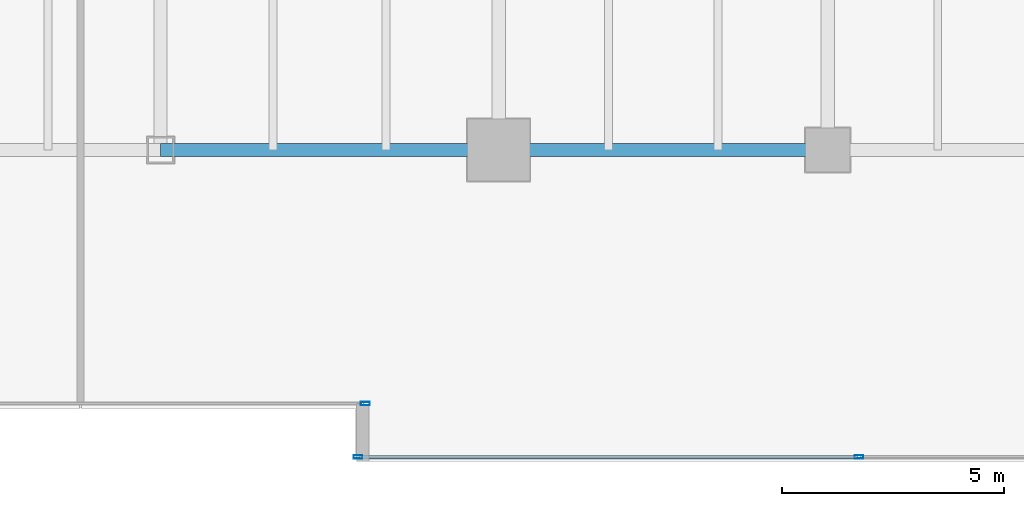
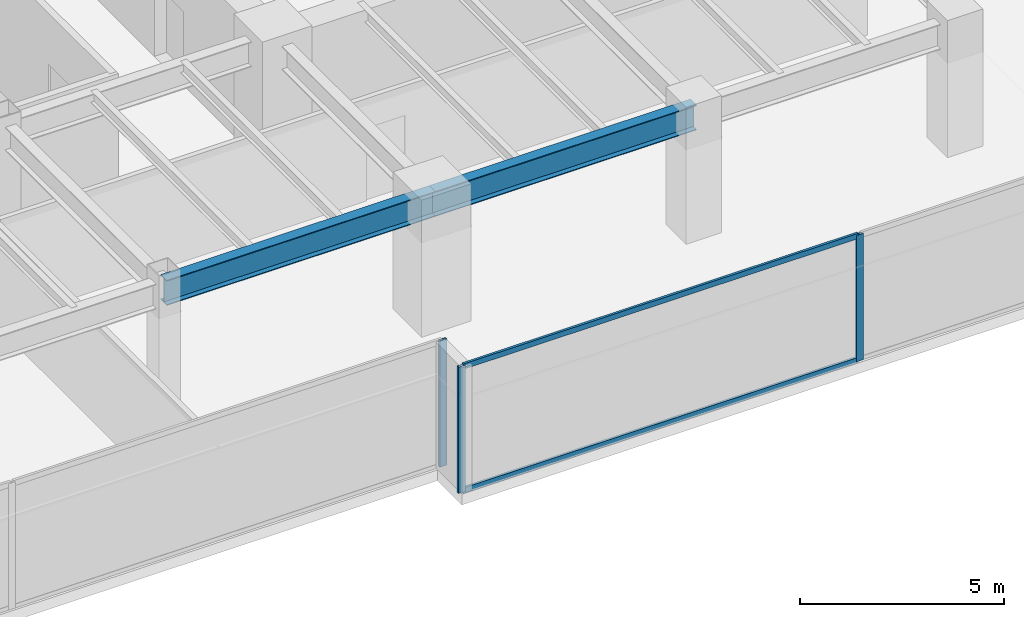
# One storey, part 10 of 36: 5 members, 2 beams, 2 elements without a shape of their own.
"""IFC4 building model written with IfcOpenShell, lengths in metres."""

from ifc_helpers import new_model, si_unit, direction, frame, origin, origin_2d, place, context, subcontext, project, spatial, hollow_rectangle, i_section, extrude, source, transform, mapped, material, layer, layer_set, material_profile, profile_set, type_object, type_shapes, element, aggregate, save


model = new_model("IFC4")

# Units and contexts
model_context = context("Model", 3, precision=1e-05, world=origin(), true_north=direction((0.0, 1.0)))
body_context = subcontext(model_context, "Body", "Model", "MODEL_VIEW")
ifc_project = project(units=[si_unit("LENGTHUNIT", "METRE"), si_unit("AREAUNIT", "SQUARE_METRE"), si_unit("VOLUMEUNIT", "CUBIC_METRE"), si_unit("PLANEANGLEUNIT", "RADIAN"), si_unit("MASSUNIT", "GRAM", prefix="KILO")], contexts=[model_context])

# Site, building, storey
site_placement = place(None, origin())
site = spatial("IfcSite", under=ifc_project, at=site_placement, CompositionType="ELEMENT")
building_placement = place(site_placement, origin())
building = spatial("IfcBuilding", under=site, at=building_placement, Name="Haelvirn Gate Laboratories", CompositionType="ELEMENT")
storey_placement = place(building_placement, frame((0.0, 0.0, 53.89990234375)))
storey = spatial("IfcBuildingStorey", under=building, at=storey_placement, Name="L13", CompositionType="ELEMENT", Elevation=53.89990234375)

# Beams
ifc_material_1 = material(Name="Steel SM355", Category="steel")
ifc_material_profile_1 = material_profile(ifc_material_1, i_section(OverallWidth=0.300048828125, OverallDepth=0.75, WebThickness=0.013916015625, FlangeThickness=0.02392578125, at=origin_2d()), Name="H-750x300x14x24")
ifc_profile_set_1 = profile_set([ifc_material_profile_1], Name="Steel SM355")
beam_type = type_object("IfcBeamType", Name="BM-G-750", PredefinedType="BEAM", material=ifc_profile_set_1)
shared_shape_1 = source(origin(), body_context, "Body", "SweptSolid", [
    extrude(i_section(OverallWidth=0.300048828125, OverallDepth=0.75, WebThickness=0.013916015625, FlangeThickness=0.02392578125, at=origin_2d()), origin(), (0.0, 0.0, 1.0), 7.39990234375),
])
beam_1_placement = place(storey_placement, frame((52.60009765625, 7.0, 3.405029296875), z_axis=(1.0, 0.0, 0.0), x_axis=(0.0, 1.0, 0.0)))
element("IfcBeam", 1, at=beam_1_placement, inside=storey, type_object=beam_type, Name="L13 Primary Girder Y7.0 (52.6-60.0)", PredefinedType="BEAM", context=body_context, shape_type="MappedRepresentation", body=[
    mapped(shared_shape_1, transform((0.0, 0.0, 0.0), scale=1.0)),
])
shared_shape_2 = source(origin(), body_context, "Body", "SweptSolid", [
    extrude(i_section(OverallWidth=0.300048828125, OverallDepth=0.75, WebThickness=0.013916015625, FlangeThickness=0.02392578125, at=origin_2d()), origin(), (0.0, 0.0, 1.0), 7.60009765625),
])
type_shapes(beam_type, [shared_shape_1, shared_shape_2])
beam_2_placement = place(storey_placement, frame((45.0, 7.0, 3.405029296875), z_axis=(1.0, 0.0, 0.0), x_axis=(0.0, 1.0, 0.0)))
element("IfcBeam", 2, at=beam_2_placement, inside=storey, type_object=beam_type, Name="L13 Primary Girder Y7.0 (45.0-52.6)", PredefinedType="BEAM", context=body_context, shape_type="MappedRepresentation", body=[
    mapped(shared_shape_2, transform((0.0, 0.0, 0.0), scale=1.0)),
])

# Curtain wall, member
ifc_material_2 = material(Name="Anodised bronze unitised aluminium & triple low-E glass", Category="aluminium")
ifc_layer = layer(ifc_material_2, 0.18408203125, Name="CW-SYS-2")
ifc_layer_set = layer_set([ifc_layer], Name="Anodised bronze unitised aluminium & triple low-E glass")
curtain_wall_type = type_object("IfcCurtainWallType", Name="CW-SYS-2", PredefinedType="NOTDEFINED", material=ifc_layer_set)
curtain_wall_1_placement = place(storey_placement, origin())
curtain_wall_1 = element("IfcCurtainWall", 3, at=curtain_wall_1_placement, inside=storey, type_object=curtain_wall_type, Name="L13 Unitised Curtain Wall CW-L13-P0-E02-1", PredefinedType="NOTDEFINED")
ifc_material_3 = material(Name="Extruded aluminium 6063-T6 (anodised bronze)", Category="aluminium")
ifc_material_profile_2 = material_profile(ifc_material_3, hollow_rectangle(XDim=0.074951171875, YDim=0.199951171875, WallThickness=0.0048828125, at=origin_2d()), Name="CWM-200x75x5")
ifc_profile_set_2 = profile_set([ifc_material_profile_2], Name="Extruded aluminium 6063-T6 (anodised bronze)")
member_type_1 = type_object("IfcMemberType", Name="CWM-T200", PredefinedType="MULLION", material=ifc_profile_set_2)
shared_shape_3 = source(origin(), body_context, "Body", "SweptSolid", [
    extrude(hollow_rectangle(XDim=0.074951171875, YDim=0.199951171875, WallThickness=0.0048828125, at=origin_2d()), origin(), (0.0, 0.0, 1.0), 3.780029296875),
])
type_shapes(member_type_1, [shared_shape_3])
member_1_placement = place(storey_placement, frame((49.6025390625, 1.300048828125, 0.0), z_axis=(0.0, 0.0, 1.0), x_axis=(0.0, 1.0, 0.0)))
member_1 = element("IfcMember", 4, at=member_1_placement, type_object=member_type_1, Name="CW2 mullion 3", PredefinedType="MULLION", context=body_context, shape_type="MappedRepresentation", body=[
    mapped(shared_shape_3, transform((0.0, 0.0, 0.0), scale=1.0)),
])
aggregate(curtain_wall_1, [member_1])

# Curtain wall, members
curtain_wall_2_placement = place(storey_placement, origin())
curtain_wall_2 = element("IfcCurtainWall", 5, at=curtain_wall_2_placement, inside=storey, type_object=curtain_wall_type, Name="L13 Unitised Curtain Wall CW-L13-P0-E04-1", PredefinedType="NOTDEFINED")
member_2_placement = place(storey_placement, frame((49.4375, 0.10009765625, 0.0), z_axis=(0.0, 0.0, 1.0), x_axis=(0.0, 1.0, 0.0)))
member_2 = element("IfcMember", 6, at=member_2_placement, type_object=member_type_1, Name="CW2 mullion 1", PredefinedType="MULLION", context=body_context, shape_type="MappedRepresentation", body=[
    mapped(shared_shape_3, transform((0.0, 0.0, 0.0), scale=1.0)),
])
member_3_placement = place(storey_placement, frame((60.699951171875, 0.10009765625, 0.0), z_axis=(0.0, 0.0, 1.0), x_axis=(0.0, 1.0, 0.0)))
member_3 = element("IfcMember", 7, at=member_3_placement, type_object=member_type_1, Name="CW2 mullion 2", PredefinedType="MULLION", context=body_context, shape_type="MappedRepresentation", body=[
    mapped(shared_shape_3, transform((0.0, 0.0, 0.0), scale=1.0)),
])
ifc_material_profile_3 = material_profile(ifc_material_3, hollow_rectangle(XDim=0.070068359375, YDim=0.159912109375, WallThickness=0.0048828125, at=origin_2d()), Name="CWT-160x70x5")
ifc_profile_set_3 = profile_set([ifc_material_profile_3], Name="Extruded aluminium 6063-T6 (anodised bronze)")
member_type_2 = type_object("IfcMemberType", Name="CWT-T160", PredefinedType="USERDEFINED", material=ifc_profile_set_3)
shared_shape_4 = source(origin(), body_context, "Body", "SweptSolid", [
    extrude(hollow_rectangle(XDim=0.070068359375, YDim=0.159912109375, WallThickness=0.0048828125, at=origin_2d()), origin(), (0.0, 0.0, 1.0), 11.1875),
])
type_shapes(member_type_2, [shared_shape_4])
member_4_placement = place(storey_placement, frame((49.47509765625, 0.10009765625, 0.03515625), z_axis=(1.0, 0.0, 0.0), x_axis=(0.0, 1.0, 0.0)))
member_4 = element("IfcMember", 8, at=member_4_placement, type_object=member_type_2, Name="CW2 transom 1.1", ObjectType="TRANSOM", PredefinedType="USERDEFINED", context=body_context, shape_type="MappedRepresentation", body=[
    mapped(shared_shape_4, transform((0.0, 0.0, 0.0), scale=1.0)),
])
member_5_placement = place(storey_placement, frame((49.47509765625, 0.10009765625, 3.7451171875), z_axis=(1.0, 0.0, 0.0), x_axis=(0.0, 1.0, 0.0)))
member_5 = element("IfcMember", 9, at=member_5_placement, type_object=member_type_2, Name="CW2 transom 1.2", ObjectType="TRANSOM", PredefinedType="USERDEFINED", context=body_context, shape_type="MappedRepresentation", body=[
    mapped(shared_shape_4, transform((0.0, 0.0, 0.0), scale=1.0)),
])
aggregate(curtain_wall_2, [member_2, member_3, member_4, member_5])

save(model, "model.ifc")
